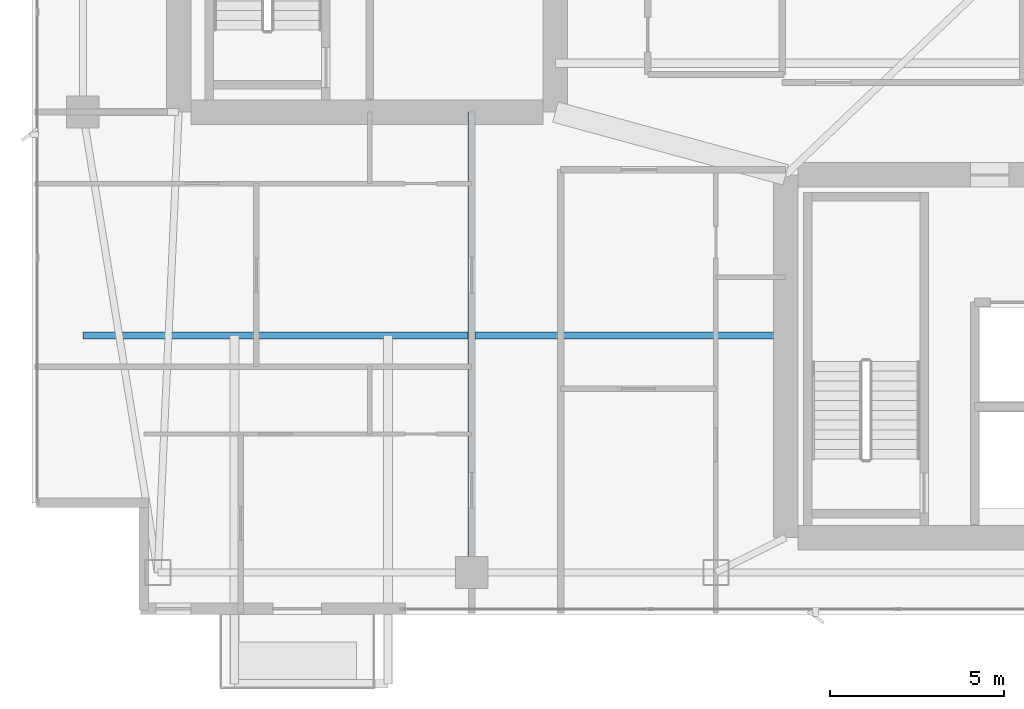
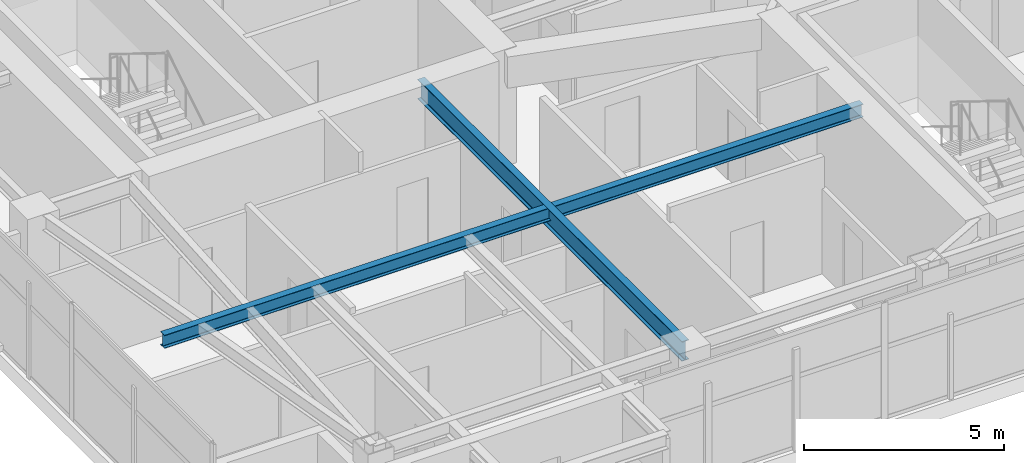
# One storey, part 5 of 28: 2 beams.
"""IFC4 building model written with IfcOpenShell, lengths in metres."""

import ifcopenshell
import ifcopenshell.guid

model = None  # the IFC model being written
_history = None  # IfcOwnerHistory: only IFC2X3 demands one
_inside = {}  # id of a spatial element -> (the spatial element, [elements in it])
_under = {}  # id of a project, library or spatial element -> (it, [spatial elements below it])
_declared = {}  # id of a project -> (the project, [libraries it declares])
_typed = {}  # id of a type object -> (the type object, [elements of that type])
_made_of = {}  # id of a material, layer set ... -> (it, [elements and type objects made of it])


def new_model(schema):
    """Start an empty IFC model of exactly this schema.

    Asked for "IFC4X3", IfcOpenShell would pick the latest addendum, in which some entities
    have other attributes; the version numbers below select the first issue.
    IFC2X3 requires an IfcOwnerHistory on every rooted entity: one is made here for all.
    """
    global model, _history
    if schema == "IFC4X3":
        model = ifcopenshell.file(schema_version=(4, 3, 0, 0))
    else:
        model = ifcopenshell.file(schema=schema)
    _inside.clear()
    _under.clear()
    _declared.clear()
    _typed.clear()
    _made_of.clear()
    _history = None
    if model.schema == "IFC2X3":
        org = make("IfcOrganization", Name="unknown")
        user = make(
            "IfcPersonAndOrganization",
            ThePerson=make("IfcPerson", FamilyName="unknown"),
            TheOrganization=org,
        )
        app = make(
            "IfcApplication",
            ApplicationDeveloper=org,
            Version="unknown",
            ApplicationFullName="unknown",
            ApplicationIdentifier="unknown",
        )
        _history = make(
            "IfcOwnerHistory",
            OwningUser=user,
            OwningApplication=app,
            ChangeAction="ADDED",
            CreationDate=0,
        )
    return model


def make(cls, **values):
    """One entity of the class cls with the attributes given. An attribute that is None is left unset."""
    return model.create_entity(
        cls, **{name: value for name, value in values.items() if value is not None}
    )


def rooted(cls, **values):
    """An entity with a GlobalId (a new one), such as an element, a storey or a relation."""
    return make(cls, GlobalId=ifcopenshell.guid.new(), OwnerHistory=_history, **values)


def si_unit(unit_type, name, prefix=None):
    """IfcSIUnit, for example si_unit("LENGTHUNIT", "METRE", prefix="MILLI")."""
    return make("IfcSIUnit", UnitType=unit_type, Prefix=prefix, Name=name)


def assignment(units):
    """IfcUnitAssignment: the units of a project."""
    return None if units is None else make("IfcUnitAssignment", Units=units)


def point(xyz):
    """IfcCartesianPoint."""
    return None if xyz is None else make("IfcCartesianPoint", Coordinates=xyz)


def direction(xyz):
    """IfcDirection."""
    return None if xyz is None else make("IfcDirection", DirectionRatios=xyz)


def frame(location, z_axis=None, x_axis=None):
    """IfcAxis2Placement3D, a coordinate frame: its origin and axes. An axis left out is left unset."""
    return make(
        "IfcAxis2Placement3D",
        Location=point(location),
        Axis=direction(z_axis),
        RefDirection=direction(x_axis),
    )


def frame_2d(location, x_axis=None):
    """IfcAxis2Placement2D, a coordinate frame in the plane: its origin and x axis."""
    return make(
        "IfcAxis2Placement2D", Location=point(location), RefDirection=direction(x_axis)
    )


def origin():
    """The frame at (0, 0, 0) with its axes left unset."""
    return frame((0.0, 0.0, 0.0))


def origin_2d():
    """The frame at (0, 0) in the plane with its x axis left unset."""
    return frame_2d((0.0, 0.0))


def place(relative_to, where):
    """IfcLocalPlacement: puts the frame where relative to a parent placement (None: the world)."""
    return make(
        "IfcLocalPlacement", PlacementRelTo=relative_to, RelativePlacement=where
    )


def context(
    kind, dimensions, precision=None, world=None, true_north=None, identifier=None
):
    """IfcGeometricRepresentationContext, for example the 3D "Model" context."""
    return make(
        "IfcGeometricRepresentationContext",
        ContextIdentifier=identifier,
        ContextType=kind,
        CoordinateSpaceDimension=dimensions,
        Precision=precision,
        WorldCoordinateSystem=world,
        TrueNorth=true_north,
    )


def subcontext(parent, identifier, kind, view, scale=None):
    """IfcGeometricRepresentationSubContext, for example "Body" below "Model"."""
    return make(
        "IfcGeometricRepresentationSubContext",
        ContextIdentifier=identifier,
        ContextType=kind,
        ParentContext=parent,
        TargetScale=scale,
        TargetView=view,
    )


def project(units=None, contexts=None):
    """IfcProject with its units and contexts."""
    return rooted(
        "IfcProject",
        Name="project",
        RepresentationContexts=contexts,
        UnitsInContext=assignment(units),
    )


def spatial(cls, under=None, at=None, **own):
    """A site, building, storey or space (cls), placed at a placement, below another one or the project."""
    s = rooted(cls, ObjectPlacement=at, **own)
    if under is not None:
        _under.setdefault(under.id(), (under, []))[1].append(s)
    return s


def profile(cls, at=None, kind="AREA", **sizes):
    """A parametric profile (cls). Its sizes go by their IFC names, for example OverallWidth=200.0."""
    return make(cls, ProfileType=kind, Position=at, **sizes)


def i_section(**sizes):
    """IfcIShapeProfileDef."""
    return profile("IfcIShapeProfileDef", **sizes)


def extrude(swept, where, along, depth):
    """IfcExtrudedAreaSolid: the profile swept, set in the frame where, extruded along a direction by depth."""
    return make(
        "IfcExtrudedAreaSolid",
        SweptArea=swept,
        Position=where,
        ExtrudedDirection=direction(along),
        Depth=depth,
    )


def shape(context_of_items, identifier, shape_type, items):
    """IfcShapeRepresentation: the items that make up one representation, for example the "Body"."""
    return make(
        "IfcShapeRepresentation",
        ContextOfItems=context_of_items,
        RepresentationIdentifier=identifier,
        RepresentationType=shape_type,
        Items=items,
    )


def material(Name=None, Category=None):
    """IfcMaterial."""
    return make("IfcMaterial", Name=Name, Category=Category)


def material_profile(
    of_material, cross_section, Name=None, Category=None, Priority=None
):
    """IfcMaterialProfile: a cross section and its material."""
    return make(
        "IfcMaterialProfile",
        Name=Name,
        Material=of_material,
        Profile=cross_section,
        Priority=Priority,
        Category=Category,
    )


def profile_set(profiles, Name=None, composite=None):
    """IfcMaterialProfileSet."""
    return make(
        "IfcMaterialProfileSet",
        Name=Name,
        MaterialProfiles=profiles,
        CompositeProfile=composite,
    )


def made_of(thing, what):
    """Note that an element or type object is made of a material, layer set ...; save() writes the relation."""
    if what is not None:
        _made_of.setdefault(what.id(), (what, []))[1].append(thing)
    return thing


def type_object(cls, material=None, **own):
    """A type object (cls), such as IfcWallType, which elements share."""
    return made_of(rooted(cls, **own), material)


def element(
    cls,
    number,
    at=None,
    inside=None,
    cuts=None,
    type_object=None,
    material=None,
    context=None,
    identifier="Body",
    shape_type=None,
    held_by="IfcProductDefinitionShape",
    body=None,
    shapes=None,
    **own,
):
    """One element of the class cls, such as IfcWall. Its Tag is "e" and its number.

    at: its placement. inside: the storey or other place that contains it. cuts: it is an
    opening in that element (IfcRelVoidsElement). A single representation is given by context,
    identifier, shape_type and body (its items); several are given by shapes. held_by: the class
    of the entity that holds the representations. save() writes the other relations.
    """
    e = rooted(cls, Tag="e%d" % number, ObjectPlacement=at, **own)
    if body is not None:
        shapes = [shape(context, identifier, shape_type, body)]
    if shapes is not None:
        e.Representation = make(held_by, Representations=shapes)
    if inside is not None:
        _inside.setdefault(inside.id(), (inside, []))[1].append(e)
    if cuts is not None:
        rooted(
            "IfcRelVoidsElement", RelatingBuildingElement=cuts, RelatedOpeningElement=e
        )
    if type_object is not None:
        _typed.setdefault(type_object.id(), (type_object, []))[1].append(e)
    return made_of(e, material)


def aggregate(whole, parts):
    """IfcRelAggregates: a whole, such as a stair, and the parts it consists of."""
    return rooted("IfcRelAggregates", RelatingObject=whole, RelatedObjects=parts)


def save(model, path):
    """Write the relations noted so far, then the file.

    IfcRelAggregates (storeys below a building ...), IfcRelContainedInSpatialStructure (elements
    in a storey), IfcRelDefinesByType, IfcRelAssociatesMaterial and IfcRelDeclares: one each for
    every whole, place, type object, material and project.
    """
    for whole, parts in _under.values():
        aggregate(whole, parts)
    for where, things in _inside.values():
        rooted(
            "IfcRelContainedInSpatialStructure",
            RelatedElements=things,
            RelatingStructure=where,
        )
    for kind, things in _typed.values():
        rooted("IfcRelDefinesByType", RelatedObjects=things, RelatingType=kind)
    for what, things in _made_of.values():
        rooted("IfcRelAssociatesMaterial", RelatedObjects=things, RelatingMaterial=what)
    for by, libraries in _declared.values():
        rooted("IfcRelDeclares", RelatingContext=by, RelatedDefinitions=libraries)
    model.write(path)


model = new_model("IFC4")

# Units and contexts
model_context = context("Model", 3, precision=1e-05, world=origin(), true_north=direction((0.0, 1.0)))
body_context = subcontext(model_context, "Body", "Model", "MODEL_VIEW")
ifc_project = project(units=[si_unit("LENGTHUNIT", "METRE"), si_unit("AREAUNIT", "SQUARE_METRE"), si_unit("VOLUMEUNIT", "CUBIC_METRE"), si_unit("PLANEANGLEUNIT", "RADIAN"), si_unit("MASSUNIT", "GRAM", prefix="KILO")], contexts=[model_context])

# Site, building, storey
site_placement = place(None, origin())
site = spatial("IfcSite", under=ifc_project, at=site_placement, CompositionType="ELEMENT")
building_placement = place(site_placement, origin())
building = spatial("IfcBuilding", under=site, at=building_placement, Name="Calvorn Quay Hotel", CompositionType="ELEMENT")
storey_placement = place(building_placement, frame((0.0, 0.0, 219.300048828125)))
storey = spatial("IfcBuildingStorey", under=building, at=storey_placement, Name="L54", CompositionType="ELEMENT", Elevation=219.300048828125)

# Beams
ifc_material_1 = material(Name="Steel Q355B", Category="steel")
ifc_material_profile_1 = material_profile(ifc_material_1, i_section(OverallWidth=0.199951171875, OverallDepth=0.60009765625, WebThickness=0.010986328125, FlangeThickness=0.01708984375, FilletRadius=0.01806640625, at=origin_2d()), Name="HN600x200x11x17")
ifc_profile_set_1 = profile_set([ifc_material_profile_1], Name="Steel Q355B")
beam_type_1 = type_object("IfcBeamType", Name="BM-GIRD-TYP", PredefinedType="BEAM", material=ifc_profile_set_1)
beam_1_placement = place(storey_placement, frame((12.60009765625, 3.60009765625, 3.239990234375), z_axis=(0.0, 1.0, 0.0), x_axis=(-1.0, 0.0, 0.0)))
element("IfcBeam", 1, at=beam_1_placement, inside=storey, type_object=beam_type_1, Name="Beam BG-L54-S1", PredefinedType="BEAM", context=body_context, shape_type="SweptSolid", body=[
    extrude(i_section(OverallWidth=0.199951171875, OverallDepth=0.60009765625, WebThickness=0.010986328125, FlangeThickness=0.01708984375, FilletRadius=0.01806640625, at=origin_2d()), origin(), (0.0, 0.0, 1.0), 13.199951171875),
])
ifc_material_2 = material(Name="Steel Q355B", Category="steel")
ifc_material_profile_2 = material_profile(ifc_material_2, i_section(OverallWidth=0.199951171875, OverallDepth=0.39990234375, WebThickness=0.008056640625, FlangeThickness=0.012939453125, FilletRadius=0.01611328125, at=origin_2d()), Name="HN400x200x8x13")
ifc_profile_set_2 = profile_set([ifc_material_profile_2], Name="Steel Q355B")
beam_type_2 = type_object("IfcBeamType", Name="BM-JOIST-TYP", PredefinedType="JOIST", material=ifc_profile_set_2)
beam_2_placement = place(storey_placement, frame((1.449951171875, 10.39990234375, 3.33984375), z_axis=(1.0, 0.0, 0.0), x_axis=(0.0, 1.0, 0.0)))
element("IfcBeam", 2, at=beam_2_placement, inside=storey, type_object=beam_type_2, Name="Beam BJ-L54-W1", PredefinedType="JOIST", context=body_context, shape_type="SweptSolid", body=[
    extrude(i_section(OverallWidth=0.199951171875, OverallDepth=0.39990234375, WebThickness=0.008056640625, FlangeThickness=0.012939453125, FilletRadius=0.01611328125, at=origin_2d()), origin(), (0.0, 0.0, 1.0), 20.150146484375),
])

save(model, "model.ifc")
